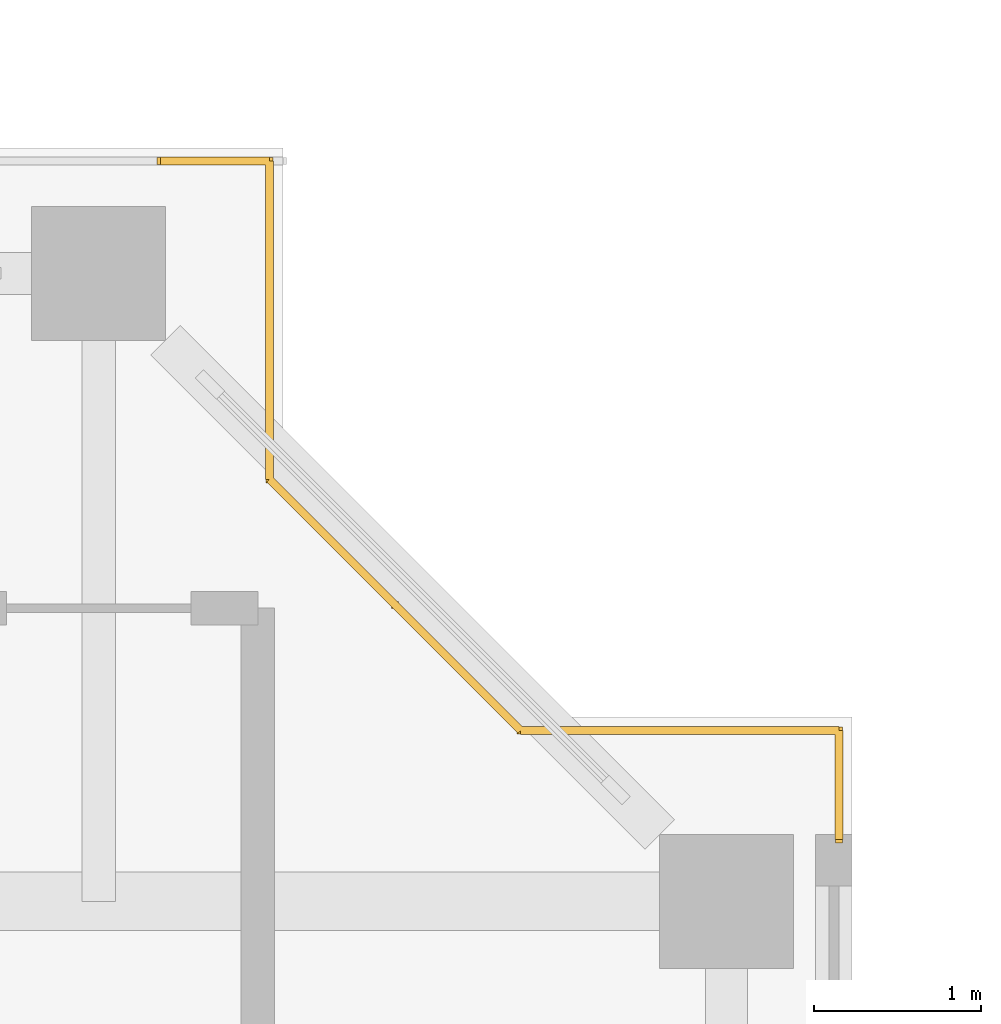
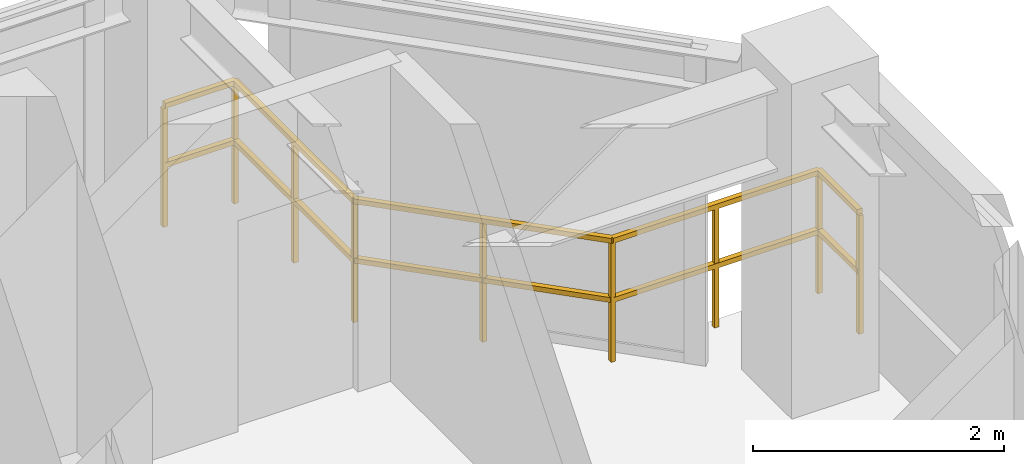
# One storey, part 23 of 23: 1 railing.
"""IFC4 building model written with IfcOpenShell, lengths in metres."""

from ifc_helpers import new_model, si_unit, direction, frame, origin, origin_2d, place, context, subcontext, project, spatial, rectangle, extrude, material, type_object, element, save


model = new_model("IFC4")

# Units and contexts
model_context = context("Model", 3, precision=1e-05, world=origin(), true_north=direction((0.0, 1.0)))
body_context = subcontext(model_context, "Body", "Model", "MODEL_VIEW")
ifc_project = project(units=[si_unit("LENGTHUNIT", "METRE"), si_unit("AREAUNIT", "SQUARE_METRE"), si_unit("VOLUMEUNIT", "CUBIC_METRE"), si_unit("PLANEANGLEUNIT", "RADIAN"), si_unit("MASSUNIT", "GRAM", prefix="KILO"), si_unit("THERMODYNAMICTEMPERATUREUNIT", "KELVIN"), si_unit("POWERUNIT", "WATT")], contexts=[model_context])

# Site, building, storey
site_placement = place(None, origin())
site = spatial("IfcSite", under=ifc_project, at=site_placement, CompositionType="ELEMENT")
building_placement = place(site_placement, origin())
building = spatial("IfcBuilding", under=site, at=building_placement, Name="Qiaomeng Ring Towers", CompositionType="ELEMENT")
storey_placement = place(building_placement, frame((0.0, 0.0, 76.25)))
storey = spatial("IfcBuildingStorey", under=building, at=storey_placement, Name="L21", CompositionType="ELEMENT", Elevation=76.25)

# Railing
ifc_material = material(Name="Low-E pale-green laminated safety glass", Category="glass")
railing_type = type_object("IfcRailingType", Name="ARC-RL-BAL1", PredefinedType="BALUSTRADE", material=ifc_material)
railing_placement = place(storey_placement, frame((73.02001953125, 31.469970703125, 0.0)))
element("IfcRailing", 1, at=railing_placement, inside=storey, type_object=railing_type, Name="L21 Balustrade ARC-BAL-NOTCH2-L21-NE", PredefinedType="BALUSTRADE", context=body_context, shape_type="SweptSolid", body=[
    extrude(rectangle(XDim=0.048095703125, YDim=0.048095703125, at=origin_2d()), frame((0.0, 0.0, 1.17578125), z_axis=(0.0, 1.0, 0.0), x_axis=(-1.0, 0.0, 0.0)), (0.0, 0.0, 1.0), 0.650146484375),
    extrude(rectangle(XDim=0.048095703125, YDim=0.048095703125, at=origin_2d()), frame((0.0, 0.0, 0.60009765625), z_axis=(0.0, 1.0, 0.0), x_axis=(-1.0, 0.0, 0.0)), (0.0, 0.0, 1.0), 0.650146484375),
    extrude(rectangle(XDim=0.048095703125, YDim=0.048095703125, at=origin_2d()), frame((0.0, 0.650146484375, 1.17578125), z_axis=(-1.0, 0.0, 0.0), x_axis=(0.0, -1.0, 0.0)), (0.0, 0.0, 1.0), 1.89990234375),
    extrude(rectangle(XDim=0.048095703125, YDim=0.048095703125, at=origin_2d()), frame((0.0, 0.650146484375, 0.60009765625), z_axis=(-1.0, 0.0, 0.0), x_axis=(0.0, -1.0, 0.0)), (0.0, 0.0, 1.0), 1.89990234375),
    extrude(rectangle(XDim=0.048095703125, YDim=0.048095703125, at=origin_2d()), frame((-1.89990234375, 0.650146484375, 1.17578125), z_axis=(-0.707106781187, 0.707106781187, 0.0), x_axis=(-0.707106781187, -0.707106781187, 0.0)), (0.0, 0.0, 1.0), 2.121337890625),
    extrude(rectangle(XDim=0.048095703125, YDim=0.048095703125, at=origin_2d()), frame((-1.89990234375, 0.650146484375, 0.60009765625), z_axis=(-0.707106781187, 0.707106781187, 0.0), x_axis=(-0.707106781187, -0.707106781187, 0.0)), (0.0, 0.0, 1.0), 2.121337890625),
    extrude(rectangle(XDim=0.048095703125, YDim=0.048095703125, at=origin_2d()), frame((-3.39990234375, 2.150146484375, 1.17578125), z_axis=(0.0, 1.0, 0.0), x_axis=(-1.0, 0.0, 0.0)), (0.0, 0.0, 1.0), 1.89990234375),
    extrude(rectangle(XDim=0.048095703125, YDim=0.048095703125, at=origin_2d()), frame((-3.39990234375, 2.150146484375, 0.60009765625), z_axis=(0.0, 1.0, 0.0), x_axis=(-1.0, 0.0, 0.0)), (0.0, 0.0, 1.0), 1.89990234375),
    extrude(rectangle(XDim=0.048095703125, YDim=0.048095703125, at=origin_2d()), frame((-3.39990234375, 4.050048828125, 1.17578125), z_axis=(-1.0, 0.0, 0.0), x_axis=(0.0, -1.0, 0.0)), (0.0, 0.0, 1.0), 0.650146484375),
    extrude(rectangle(XDim=0.048095703125, YDim=0.048095703125, at=origin_2d()), frame((-3.39990234375, 4.050048828125, 0.60009765625), z_axis=(-1.0, 0.0, 0.0), x_axis=(0.0, -1.0, 0.0)), (0.0, 0.0, 1.0), 0.650146484375),
    extrude(rectangle(XDim=0.0419921875, YDim=0.0419921875, at=origin_2d()), origin(), (0.0, 0.0, 1.0), 1.15185546875),
    extrude(rectangle(XDim=0.0419921875, YDim=0.0419921875, at=origin_2d()), frame((0.0, 0.650146484375, 0.0)), (0.0, 0.0, 1.0), 1.15185546875),
    extrude(rectangle(XDim=0.0419921875, YDim=0.0419921875, at=origin_2d()), frame((-0.949951171875, 0.650146484375, 0.0)), (0.0, 0.0, 1.0), 1.15185546875),
    extrude(rectangle(XDim=0.0419921875, YDim=0.0419921875, at=origin_2d()), frame((-1.89990234375, 0.650146484375, 0.0)), (0.0, 0.0, 1.0), 1.15185546875),
    extrude(rectangle(XDim=0.0419921875, YDim=0.0419921875, at=origin_2d()), frame((-2.64990234375, 1.400146484375, 0.0)), (0.0, 0.0, 1.0), 1.15185546875),
    extrude(rectangle(XDim=0.0419921875, YDim=0.0419921875, at=origin_2d()), frame((-3.39990234375, 2.150146484375, 0.0)), (0.0, 0.0, 1.0), 1.15185546875),
    extrude(rectangle(XDim=0.0419921875, YDim=0.0419921875, at=origin_2d()), frame((-3.39990234375, 3.10009765625, 0.0)), (0.0, 0.0, 1.0), 1.15185546875),
    extrude(rectangle(XDim=0.0419921875, YDim=0.0419921875, at=origin_2d()), frame((-3.39990234375, 4.050048828125, 0.0)), (0.0, 0.0, 1.0), 1.15185546875),
    extrude(rectangle(XDim=0.0419921875, YDim=0.0419921875, at=origin_2d()), frame((-4.050048828125, 4.050048828125, 0.0)), (0.0, 0.0, 1.0), 1.15185546875),
])

save(model, "model.ifc")
